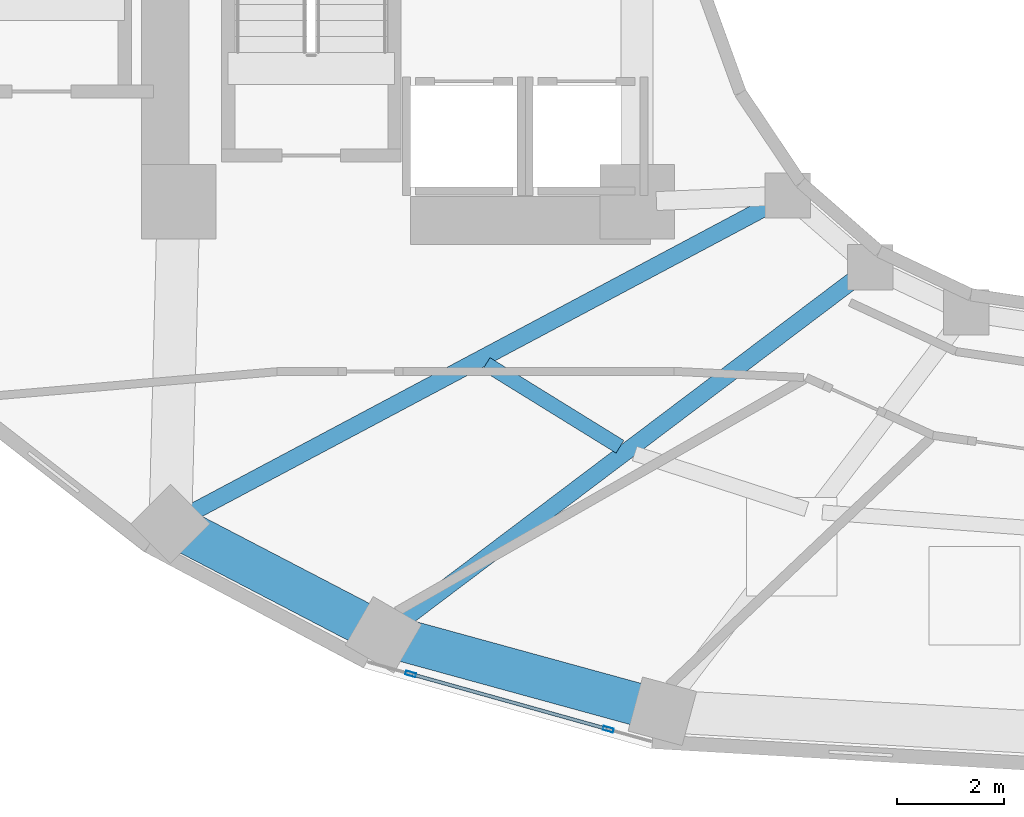
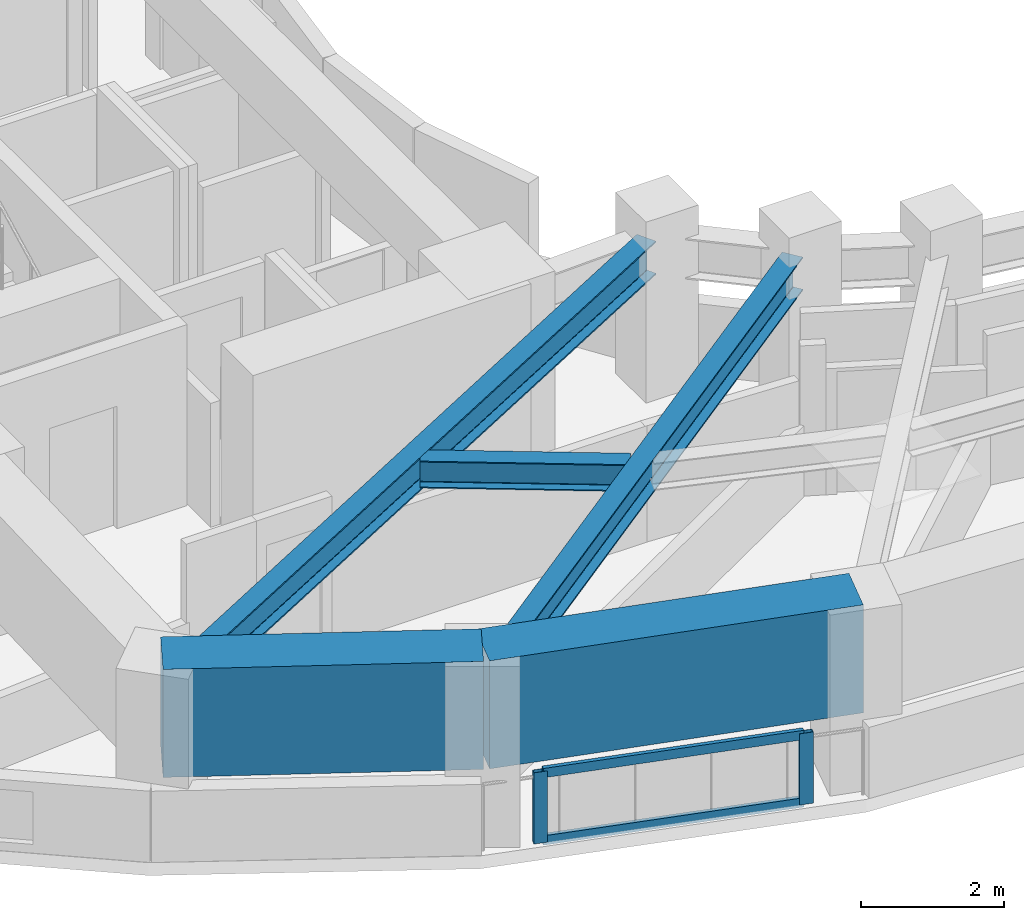
# One storey, part 2 of 16: 5 beams, 4 members, 1 element without a shape of its own.
"""IFC4 building model written with IfcOpenShell, lengths in metres."""

from ifc_helpers import new_model, si_unit, direction, frame, origin, origin_2d, place, context, subcontext, project, spatial, rectangle, hollow_rectangle, i_section, extrude, material, layer, layer_set, material_profile, profile_set, type_object, element, aggregate, save


model = new_model("IFC4")

# Units and contexts
model_context = context("Model", 3, precision=1e-05, world=origin(), true_north=direction((0.0, 1.0)))
body_context = subcontext(model_context, "Body", "Model", "MODEL_VIEW")
ifc_project = project(units=[si_unit("LENGTHUNIT", "METRE"), si_unit("AREAUNIT", "SQUARE_METRE"), si_unit("VOLUMEUNIT", "CUBIC_METRE"), si_unit("PLANEANGLEUNIT", "RADIAN"), si_unit("MASSUNIT", "GRAM", prefix="KILO")], contexts=[model_context])

# Site, building, storey
site_placement = place(None, origin())
site = spatial("IfcSite", under=ifc_project, at=site_placement, CompositionType="ELEMENT")
building_placement = place(site_placement, origin())
building = spatial("IfcBuilding", under=site, at=building_placement, Name="Solvane Sanctuary Tower", CompositionType="ELEMENT")
storey_placement = place(building_placement, frame((0.0, 0.0, 82.5)))
storey = spatial("IfcBuildingStorey", under=building, at=storey_placement, Name="L24", CompositionType="ELEMENT", Elevation=82.5)

# Beams
ifc_material_1 = material(Name="Steel ASTM A992 Grade 50", Category="steel")
ifc_material_profile_1 = material_profile(ifc_material_1, i_section(OverallWidth=0.31494140625, OverallDepth=0.575927734375, WebThickness=0.01513671875, FlangeThickness=0.0244140625, FilletRadius=0.014892578125, at=origin_2d()), Name="W21X122")
ifc_profile_set_1 = profile_set([ifc_material_profile_1], Name="Steel ASTM A992 Grade 50")
beam_type_1 = type_object("IfcBeamType", Name="Beam B-RAD-Z2 W21X122", PredefinedType="BEAM", material=ifc_profile_set_1)
beam_1_placement = place(storey_placement, frame((26.477783203125, 16.886474609375, 2.31005859375), z_axis=(-0.882951984843, -0.469463302572, 0.0), x_axis=(0.469463302572, -0.882951984843, 0.0)))
element("IfcBeam", 1, at=beam_1_placement, inside=storey, type_object=beam_type_1, Name="L24 Radial Composite Floor Beam 08", PredefinedType="BEAM", context=body_context, shape_type="SweptSolid", body=[
    extrude(i_section(OverallWidth=0.31494140625, OverallDepth=0.575927734375, WebThickness=0.01513671875, FlangeThickness=0.0244140625, FilletRadius=0.014892578125, at=origin_2d()), origin(), (0.0, 0.0, 1.0), 12.552734375),
])
beam_2_placement = place(storey_placement, frame((28.04638671875, 15.504638671875, 2.31005859375), z_axis=(-0.798116040134, -0.602503764703, 0.0), x_axis=(0.602503764703, -0.798116040134, 0.0)))
element("IfcBeam", 2, at=beam_2_placement, inside=storey, type_object=beam_type_1, Name="L24 Radial Composite Floor Beam 09", PredefinedType="BEAM", context=body_context, shape_type="SweptSolid", body=[
    extrude(i_section(OverallWidth=0.31494140625, OverallDepth=0.575927734375, WebThickness=0.01513671875, FlangeThickness=0.0244140625, FilletRadius=0.014892578125, at=origin_2d()), origin(), (0.0, 0.0, 1.0), 10.876953125),
])
ifc_material_profile_2 = material_profile(ifc_material_1, i_section(OverallWidth=0.280029296875, OverallDepth=0.462890625, WebThickness=0.0107421875, FlangeThickness=0.017333984375, FilletRadius=0.013916015625, at=origin_2d()), Name="W18X76")
ifc_profile_set_2 = profile_set([ifc_material_profile_2], Name="Steel ASTM A992 Grade 50")
beam_type_2 = type_object("IfcBeamType", Name="Beam B-SEC-JOIST W18X76", PredefinedType="JOIST", material=ifc_profile_set_2)
beam_3_placement = place(storey_placement, frame((21.065673828125, 13.859619140625, 2.366455078125), z_axis=(0.85065981691, -0.525716535687, 0.0), x_axis=(0.525716535687, 0.85065981691, 0.0)))
element("IfcBeam", 3, at=beam_3_placement, inside=storey, type_object=beam_type_2, Name="L24 Secondary Circumferential Joist 08-09", PredefinedType="JOIST", context=body_context, shape_type="SweptSolid", body=[
    extrude(i_section(OverallWidth=0.280029296875, OverallDepth=0.462890625, WebThickness=0.0107421875, FlangeThickness=0.017333984375, FilletRadius=0.013916015625, at=origin_2d()), origin(), (0.0, 0.0, 1.0), 2.951171875),
])
ifc_material_2 = material(Name="Concrete C70/85", Category="concrete")
ifc_material_profile_3 = material_profile(ifc_material_2, rectangle(XDim=0.800048828125, YDim=1.85009765625, at=origin_2d()), Name="RC800X1850")
ifc_profile_set_3 = profile_set([ifc_material_profile_3], Name="Concrete C70/85")
beam_type_3 = type_object("IfcBeamType", Name="Beam B-XFER-BLK RC800X1850", PredefinedType="BEAM", material=ifc_profile_set_3)
beam_4_placement = place(storey_placement, frame((15.14697265625, 10.86181640625, 2.175048828125), z_axis=(0.887022336415, -0.46172651505, 0.0), x_axis=(0.46172651505, 0.887022336415, 0.0)))
element("IfcBeam", 4, at=beam_4_placement, inside=storey, type_object=beam_type_3, Name="L24 Perimeter Step Transfer Ring NTC08-NTC09", PredefinedType="BEAM", context=body_context, shape_type="SweptSolid", body=[
    extrude(rectangle(XDim=0.800048828125, YDim=1.85009765625, at=origin_2d()), origin(), (0.0, 0.0, 1.0), 4.50341796875),
])
beam_5_placement = place(storey_placement, frame((19.1416015625, 8.782470703125, 2.175048828125), z_axis=(0.964365802426, -0.264572483661, 0.0), x_axis=(0.264572483661, 0.964365802426, 0.0)))
element("IfcBeam", 5, at=beam_5_placement, inside=storey, type_object=beam_type_3, Name="L24 Perimeter Step Transfer Ring NTC09-NTC10", PredefinedType="BEAM", context=body_context, shape_type="SweptSolid", body=[
    extrude(rectangle(XDim=0.800048828125, YDim=1.85009765625, at=origin_2d()), origin(), (0.0, 0.0, 1.0), 5.422119140625),
])

# Curtain wall, members
ifc_material_3 = material(Name="Anodised Aluminium 6063-T6", Category="aluminium")
ifc_layer = layer(ifc_material_3, 0.179931640625, Name="Anodised Aluminium 6063-T6")
ifc_layer_set = layer_set([ifc_layer], Name="Anodised Aluminium 6063-T6")
curtain_wall_type = type_object("IfcCurtainWallType", Name="Curtain Wall CW-FRIT-Z2", PredefinedType="NOTDEFINED", material=ifc_layer_set)
curtain_wall_placement = place(storey_placement, origin())
curtain_wall = element("IfcCurtainWall", 6, at=curtain_wall_placement, inside=storey, type_object=curtain_wall_type, Name="L24 CW-FRIT-Z2 Facade Run 16", PredefinedType="NOTDEFINED")
ifc_material_profile_4 = material_profile(ifc_material_3, hollow_rectangle(XDim=0.074951171875, YDim=0.199951171875, WallThickness=0.00390625, at=origin_2d()), Name="ALU200X75X4")
ifc_profile_set_4 = profile_set([ifc_material_profile_4], Name="Anodised Aluminium 6063-T6")
member_type_1 = type_object("IfcMemberType", Name="Member M-CW-MUL-1 ALU200X75X4", PredefinedType="MULLION", material=ifc_profile_set_4)
member_1_placement = place(storey_placement, frame((19.65234375, 8.047607421875, 0.0), z_axis=(0.0, 0.0, 1.0), x_axis=(0.269704615814, 0.962943103308, 0.0)))
member_1 = element("IfcMember", 7, at=member_1_placement, type_object=member_type_1, Name="CW-FRIT-Z2 mullion 1", PredefinedType="MULLION", context=body_context, shape_type="SweptSolid", body=[
    extrude(hollow_rectangle(XDim=0.074951171875, YDim=0.199951171875, WallThickness=0.00390625, at=origin_2d()), origin(), (0.0, 0.0, 1.0), 1.219970703125),
])
member_2_placement = place(storey_placement, frame((23.35791015625, 7.009521484375, 0.0), z_axis=(0.0, 0.0, 1.0), x_axis=(0.269704615814, 0.962943103308, 0.0)))
member_2 = element("IfcMember", 8, at=member_2_placement, type_object=member_type_1, Name="CW-FRIT-Z2 mullion 2", PredefinedType="MULLION", context=body_context, shape_type="SweptSolid", body=[
    extrude(hollow_rectangle(XDim=0.074951171875, YDim=0.199951171875, WallThickness=0.00390625, at=origin_2d()), origin(), (0.0, 0.0, 1.0), 1.219970703125),
])
ifc_material_profile_5 = material_profile(ifc_material_3, hollow_rectangle(XDim=0.06494140625, YDim=0.159912109375, WallThickness=0.00341796875, at=origin_2d()), Name="ALU160X65X3.5")
ifc_profile_set_5 = profile_set([ifc_material_profile_5], Name="Anodised Aluminium 6063-T6")
member_type_2 = type_object("IfcMemberType", Name="Member M-CW-TRN-1 ALU160X65X3.5", PredefinedType="USERDEFINED", material=ifc_profile_set_5)
member_3_placement = place(storey_placement, frame((19.6884765625, 8.037353515625, 0.032470703125), z_axis=(0.9629465453, -0.269692326355, 0.0), x_axis=(0.269692326355, 0.9629465453, 0.0)))
member_3 = element("IfcMember", 9, at=member_3_placement, type_object=member_type_2, Name="CW-FRIT-Z2 transom 1.1", ObjectType="TRANSOM", PredefinedType="USERDEFINED", context=body_context, shape_type="SweptSolid", body=[
    extrude(hollow_rectangle(XDim=0.06494140625, YDim=0.159912109375, WallThickness=0.00341796875, at=origin_2d()), origin(), (0.0, 0.0, 1.0), 3.773193359375),
])
member_4_placement = place(storey_placement, frame((19.6884765625, 8.037353515625, 1.1875), z_axis=(0.9629465453, -0.269692326355, 0.0), x_axis=(0.269692326355, 0.9629465453, 0.0)))
member_4 = element("IfcMember", 10, at=member_4_placement, type_object=member_type_2, Name="CW-FRIT-Z2 transom 1.2", ObjectType="TRANSOM", PredefinedType="USERDEFINED", context=body_context, shape_type="SweptSolid", body=[
    extrude(hollow_rectangle(XDim=0.06494140625, YDim=0.159912109375, WallThickness=0.00341796875, at=origin_2d()), origin(), (0.0, 0.0, 1.0), 3.773193359375),
])
aggregate(curtain_wall, [member_1, member_2, member_3, member_4])

save(model, "model.ifc")
